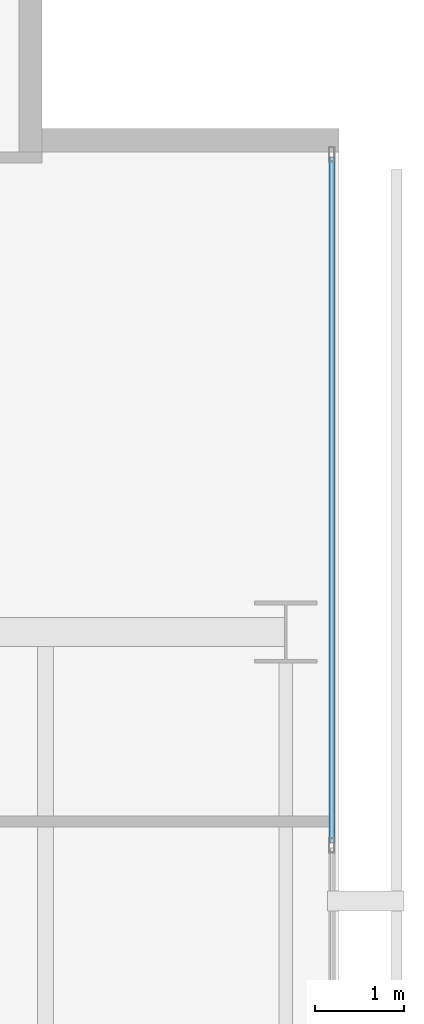
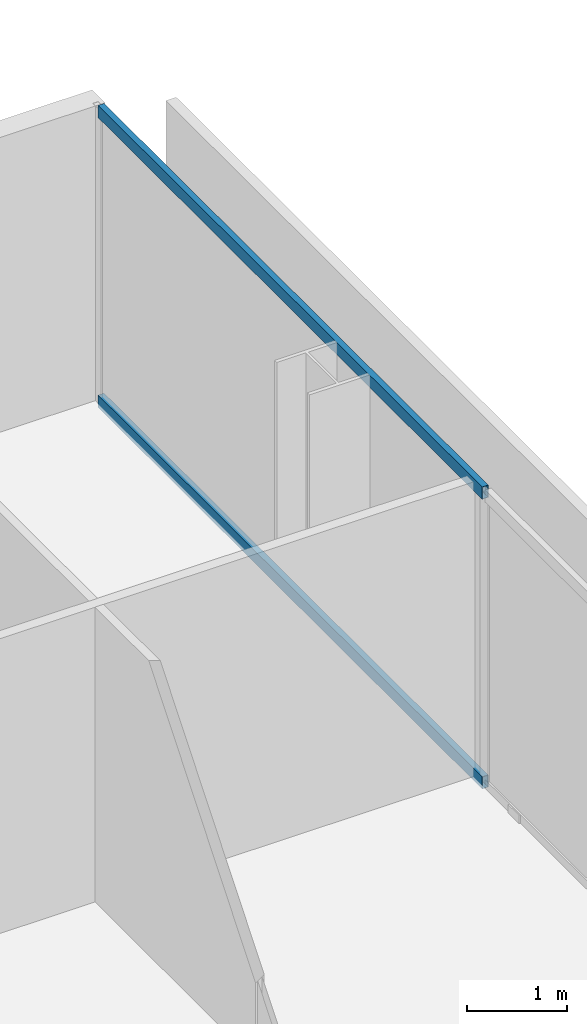
# One storey, part 29 of 40: 2 members, 1 element without a shape of its own.
"""IFC4 building model written with IfcOpenShell, lengths in metres."""

import ifcopenshell
import ifcopenshell.guid

model = None  # the IFC model being written
_history = None  # IfcOwnerHistory: only IFC2X3 demands one
_inside = {}  # id of a spatial element -> (the spatial element, [elements in it])
_under = {}  # id of a project, library or spatial element -> (it, [spatial elements below it])
_declared = {}  # id of a project -> (the project, [libraries it declares])
_typed = {}  # id of a type object -> (the type object, [elements of that type])
_made_of = {}  # id of a material, layer set ... -> (it, [elements and type objects made of it])


def new_model(schema):
    """Start an empty IFC model of exactly this schema.

    Asked for "IFC4X3", IfcOpenShell would pick the latest addendum, in which some entities
    have other attributes; the version numbers below select the first issue.
    IFC2X3 requires an IfcOwnerHistory on every rooted entity: one is made here for all.
    """
    global model, _history
    if schema == "IFC4X3":
        model = ifcopenshell.file(schema_version=(4, 3, 0, 0))
    else:
        model = ifcopenshell.file(schema=schema)
    _inside.clear()
    _under.clear()
    _declared.clear()
    _typed.clear()
    _made_of.clear()
    _history = None
    if model.schema == "IFC2X3":
        org = make("IfcOrganization", Name="unknown")
        user = make(
            "IfcPersonAndOrganization",
            ThePerson=make("IfcPerson", FamilyName="unknown"),
            TheOrganization=org,
        )
        app = make(
            "IfcApplication",
            ApplicationDeveloper=org,
            Version="unknown",
            ApplicationFullName="unknown",
            ApplicationIdentifier="unknown",
        )
        _history = make(
            "IfcOwnerHistory",
            OwningUser=user,
            OwningApplication=app,
            ChangeAction="ADDED",
            CreationDate=0,
        )
    return model


def make(cls, **values):
    """One entity of the class cls with the attributes given. An attribute that is None is left unset."""
    return model.create_entity(
        cls, **{name: value for name, value in values.items() if value is not None}
    )


def rooted(cls, **values):
    """An entity with a GlobalId (a new one), such as an element, a storey or a relation."""
    return make(cls, GlobalId=ifcopenshell.guid.new(), OwnerHistory=_history, **values)


def si_unit(unit_type, name, prefix=None):
    """IfcSIUnit, for example si_unit("LENGTHUNIT", "METRE", prefix="MILLI")."""
    return make("IfcSIUnit", UnitType=unit_type, Prefix=prefix, Name=name)


def assignment(units):
    """IfcUnitAssignment: the units of a project."""
    return None if units is None else make("IfcUnitAssignment", Units=units)


def point(xyz):
    """IfcCartesianPoint."""
    return None if xyz is None else make("IfcCartesianPoint", Coordinates=xyz)


def direction(xyz):
    """IfcDirection."""
    return None if xyz is None else make("IfcDirection", DirectionRatios=xyz)


def frame(location, z_axis=None, x_axis=None):
    """IfcAxis2Placement3D, a coordinate frame: its origin and axes. An axis left out is left unset."""
    return make(
        "IfcAxis2Placement3D",
        Location=point(location),
        Axis=direction(z_axis),
        RefDirection=direction(x_axis),
    )


def frame_2d(location, x_axis=None):
    """IfcAxis2Placement2D, a coordinate frame in the plane: its origin and x axis."""
    return make(
        "IfcAxis2Placement2D", Location=point(location), RefDirection=direction(x_axis)
    )


def origin():
    """The frame at (0, 0, 0) with its axes left unset."""
    return frame((0.0, 0.0, 0.0))


def origin_2d():
    """The frame at (0, 0) in the plane with its x axis left unset."""
    return frame_2d((0.0, 0.0))


def place(relative_to, where):
    """IfcLocalPlacement: puts the frame where relative to a parent placement (None: the world)."""
    return make(
        "IfcLocalPlacement", PlacementRelTo=relative_to, RelativePlacement=where
    )


def context(
    kind, dimensions, precision=None, world=None, true_north=None, identifier=None
):
    """IfcGeometricRepresentationContext, for example the 3D "Model" context."""
    return make(
        "IfcGeometricRepresentationContext",
        ContextIdentifier=identifier,
        ContextType=kind,
        CoordinateSpaceDimension=dimensions,
        Precision=precision,
        WorldCoordinateSystem=world,
        TrueNorth=true_north,
    )


def subcontext(parent, identifier, kind, view, scale=None):
    """IfcGeometricRepresentationSubContext, for example "Body" below "Model"."""
    return make(
        "IfcGeometricRepresentationSubContext",
        ContextIdentifier=identifier,
        ContextType=kind,
        ParentContext=parent,
        TargetScale=scale,
        TargetView=view,
    )


def project(units=None, contexts=None):
    """IfcProject with its units and contexts."""
    return rooted(
        "IfcProject",
        Name="project",
        RepresentationContexts=contexts,
        UnitsInContext=assignment(units),
    )


def spatial(cls, under=None, at=None, **own):
    """A site, building, storey or space (cls), placed at a placement, below another one or the project."""
    s = rooted(cls, ObjectPlacement=at, **own)
    if under is not None:
        _under.setdefault(under.id(), (under, []))[1].append(s)
    return s


def profile(cls, at=None, kind="AREA", **sizes):
    """A parametric profile (cls). Its sizes go by their IFC names, for example OverallWidth=200.0."""
    return make(cls, ProfileType=kind, Position=at, **sizes)


def hollow_rectangle(**sizes):
    """IfcRectangleHollowProfileDef."""
    return profile("IfcRectangleHollowProfileDef", **sizes)


def extrude(swept, where, along, depth):
    """IfcExtrudedAreaSolid: the profile swept, set in the frame where, extruded along a direction by depth."""
    return make(
        "IfcExtrudedAreaSolid",
        SweptArea=swept,
        Position=where,
        ExtrudedDirection=direction(along),
        Depth=depth,
    )


def shape(context_of_items, identifier, shape_type, items):
    """IfcShapeRepresentation: the items that make up one representation, for example the "Body"."""
    return make(
        "IfcShapeRepresentation",
        ContextOfItems=context_of_items,
        RepresentationIdentifier=identifier,
        RepresentationType=shape_type,
        Items=items,
    )


def material(Name=None, Category=None):
    """IfcMaterial."""
    return make("IfcMaterial", Name=Name, Category=Category)


def layer(
    of_material, thickness, ventilated=None, Name=None, Category=None, Priority=None
):
    """IfcMaterialLayer: one layer of a wall or slab, of a material (None: an air gap)."""
    return make(
        "IfcMaterialLayer",
        Material=of_material,
        LayerThickness=thickness,
        IsVentilated=ventilated,
        Name=Name,
        Category=Category,
        Priority=Priority,
    )


def layer_set(layers, Name=None):
    """IfcMaterialLayerSet."""
    return make("IfcMaterialLayerSet", MaterialLayers=layers, LayerSetName=Name)


def material_profile(
    of_material, cross_section, Name=None, Category=None, Priority=None
):
    """IfcMaterialProfile: a cross section and its material."""
    return make(
        "IfcMaterialProfile",
        Name=Name,
        Material=of_material,
        Profile=cross_section,
        Priority=Priority,
        Category=Category,
    )


def profile_set(profiles, Name=None, composite=None):
    """IfcMaterialProfileSet."""
    return make(
        "IfcMaterialProfileSet",
        Name=Name,
        MaterialProfiles=profiles,
        CompositeProfile=composite,
    )


def made_of(thing, what):
    """Note that an element or type object is made of a material, layer set ...; save() writes the relation."""
    if what is not None:
        _made_of.setdefault(what.id(), (what, []))[1].append(thing)
    return thing


def type_object(cls, material=None, **own):
    """A type object (cls), such as IfcWallType, which elements share."""
    return made_of(rooted(cls, **own), material)


def element(
    cls,
    number,
    at=None,
    inside=None,
    cuts=None,
    type_object=None,
    material=None,
    context=None,
    identifier="Body",
    shape_type=None,
    held_by="IfcProductDefinitionShape",
    body=None,
    shapes=None,
    **own,
):
    """One element of the class cls, such as IfcWall. Its Tag is "e" and its number.

    at: its placement. inside: the storey or other place that contains it. cuts: it is an
    opening in that element (IfcRelVoidsElement). A single representation is given by context,
    identifier, shape_type and body (its items); several are given by shapes. held_by: the class
    of the entity that holds the representations. save() writes the other relations.
    """
    e = rooted(cls, Tag="e%d" % number, ObjectPlacement=at, **own)
    if body is not None:
        shapes = [shape(context, identifier, shape_type, body)]
    if shapes is not None:
        e.Representation = make(held_by, Representations=shapes)
    if inside is not None:
        _inside.setdefault(inside.id(), (inside, []))[1].append(e)
    if cuts is not None:
        rooted(
            "IfcRelVoidsElement", RelatingBuildingElement=cuts, RelatedOpeningElement=e
        )
    if type_object is not None:
        _typed.setdefault(type_object.id(), (type_object, []))[1].append(e)
    return made_of(e, material)


def aggregate(whole, parts):
    """IfcRelAggregates: a whole, such as a stair, and the parts it consists of."""
    return rooted("IfcRelAggregates", RelatingObject=whole, RelatedObjects=parts)


def save(model, path):
    """Write the relations noted so far, then the file.

    IfcRelAggregates (storeys below a building ...), IfcRelContainedInSpatialStructure (elements
    in a storey), IfcRelDefinesByType, IfcRelAssociatesMaterial and IfcRelDeclares: one each for
    every whole, place, type object, material and project.
    """
    for whole, parts in _under.values():
        aggregate(whole, parts)
    for where, things in _inside.values():
        rooted(
            "IfcRelContainedInSpatialStructure",
            RelatedElements=things,
            RelatingStructure=where,
        )
    for kind, things in _typed.values():
        rooted("IfcRelDefinesByType", RelatedObjects=things, RelatingType=kind)
    for what, things in _made_of.values():
        rooted("IfcRelAssociatesMaterial", RelatedObjects=things, RelatingMaterial=what)
    for by, libraries in _declared.values():
        rooted("IfcRelDeclares", RelatingContext=by, RelatedDefinitions=libraries)
    model.write(path)


model = new_model("IFC4")

# Units and contexts
model_context = context("Model", 3, precision=1e-05, world=origin(), true_north=direction((0.0, 1.0)))
body_context = subcontext(model_context, "Body", "Model", "MODEL_VIEW")
ifc_project = project(units=[si_unit("LENGTHUNIT", "METRE"), si_unit("AREAUNIT", "SQUARE_METRE"), si_unit("VOLUMEUNIT", "CUBIC_METRE"), si_unit("PLANEANGLEUNIT", "RADIAN"), si_unit("MASSUNIT", "GRAM", prefix="KILO")], contexts=[model_context])

# Site, building, storey
site_placement = place(None, origin())
site = spatial("IfcSite", under=ifc_project, at=site_placement, CompositionType="ELEMENT")
building_placement = place(site_placement, origin())
building = spatial("IfcBuilding", under=site, at=building_placement, Name="Maruvema Waterfront Hotel and Observation Tower", CompositionType="ELEMENT")
storey_placement = place(building_placement, frame((0.0, 0.0, 107.800048828125)))
storey = spatial("IfcBuildingStorey", under=building, at=storey_placement, Name="L26", CompositionType="ELEMENT", Elevation=107.800048828125)

# Curtain wall, members
ifc_material_1 = material(Name="Anodised bronze aluminium and solar-control low-E IGU", Category="aluminium")
ifc_layer = layer(ifc_material_1, 0.159912109375, Name="Zone 1 Bronze Inner Thermal Curtain Wall System CW-02")
ifc_layer_set = layer_set([ifc_layer], Name="Anodised bronze aluminium and solar-control low-E IGU")
curtain_wall_type = type_object("IfcCurtainWallType", Name="Zone 1 Bronze Inner Thermal Curtain Wall System CW-02", PredefinedType="USERDEFINED", material=ifc_layer_set)
curtain_wall_placement = place(storey_placement, origin())
curtain_wall = element("IfcCurtainWall", 1, at=curtain_wall_placement, inside=storey, type_object=curtain_wall_type, Name="L26 Curtain Wall CW-L26-E", ObjectType="UNITISED CURTAIN WALL", PredefinedType="USERDEFINED")
ifc_material_2 = material(Name="Anodised architectural bronze aluminium", Category="aluminium")
ifc_material_profile = material_profile(ifc_material_2, hollow_rectangle(XDim=0.070068359375, YDim=0.14990234375, WallThickness=0.00390625, at=origin_2d()), Name="ALU-T70x150")
ifc_profile_set = profile_set([ifc_material_profile], Name="Anodised architectural bronze aluminium")
member_type = type_object("IfcMemberType", Name="Curtain Wall Horizontal Transom ALU-T70x150", PredefinedType="USERDEFINED", material=ifc_profile_set)
member_1_placement = place(storey_placement, frame((64.719970703125, 42.6298828125, 0.030029296875), z_axis=(0.0, 1.0, 0.0), x_axis=(-1.0, 0.0, 0.0)))
member_1 = element("IfcMember", 2, at=member_1_placement, type_object=member_type, Name="CW-02 transom 6.1", ObjectType="TRANSOM", PredefinedType="USERDEFINED", context=body_context, shape_type="SweptSolid", body=[
    extrude(hollow_rectangle(XDim=0.070068359375, YDim=0.14990234375, WallThickness=0.00390625, at=origin_2d()), origin(), (0.0, 0.0, 1.0), 7.710205078125),
])
member_2_placement = place(storey_placement, frame((64.719970703125, 42.6298828125, 3.579833984375), z_axis=(0.0, 1.0, 0.0), x_axis=(-1.0, 0.0, 0.0)))
member_2 = element("IfcMember", 3, at=member_2_placement, type_object=member_type, Name="CW-02 transom 6.2", ObjectType="TRANSOM", PredefinedType="USERDEFINED", context=body_context, shape_type="SweptSolid", body=[
    extrude(hollow_rectangle(XDim=0.070068359375, YDim=0.14990234375, WallThickness=0.00390625, at=origin_2d()), origin(), (0.0, 0.0, 1.0), 7.710205078125),
])
aggregate(curtain_wall, [member_1, member_2])

save(model, "model.ifc")
